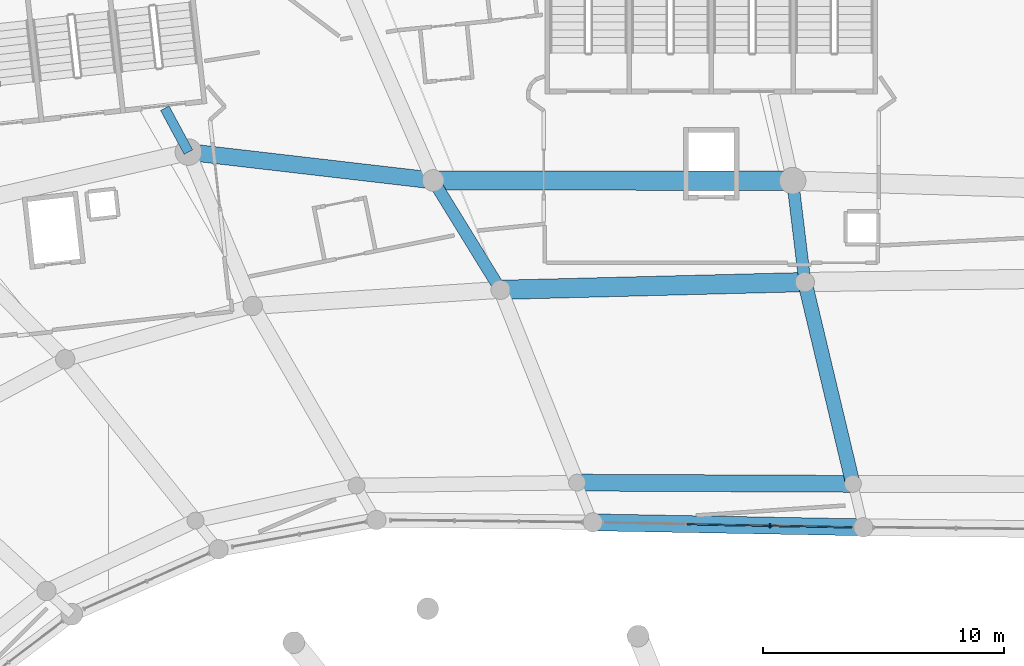
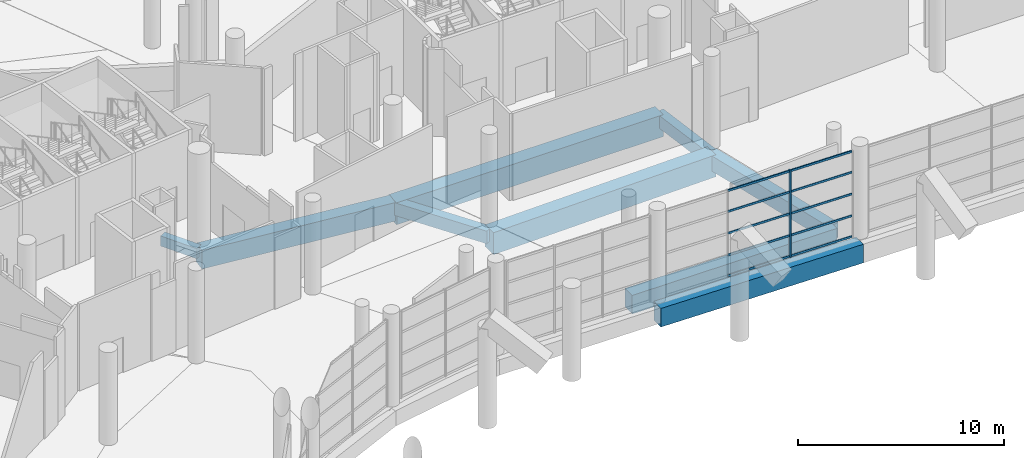
# One storey, part 83 of 271: 11 members, 9 beams, 1 element without a shape of its own.
"""IFC4 building model written with IfcOpenShell, lengths in metres."""

import ifcopenshell
import ifcopenshell.guid

model = None  # the IFC model being written
_history = None  # IfcOwnerHistory: only IFC2X3 demands one
_inside = {}  # id of a spatial element -> (the spatial element, [elements in it])
_under = {}  # id of a project, library or spatial element -> (it, [spatial elements below it])
_declared = {}  # id of a project -> (the project, [libraries it declares])
_typed = {}  # id of a type object -> (the type object, [elements of that type])
_made_of = {}  # id of a material, layer set ... -> (it, [elements and type objects made of it])


def new_model(schema):
    """Start an empty IFC model of exactly this schema.

    Asked for "IFC4X3", IfcOpenShell would pick the latest addendum, in which some entities
    have other attributes; the version numbers below select the first issue.
    IFC2X3 requires an IfcOwnerHistory on every rooted entity: one is made here for all.
    """
    global model, _history
    if schema == "IFC4X3":
        model = ifcopenshell.file(schema_version=(4, 3, 0, 0))
    else:
        model = ifcopenshell.file(schema=schema)
    _inside.clear()
    _under.clear()
    _declared.clear()
    _typed.clear()
    _made_of.clear()
    _history = None
    if model.schema == "IFC2X3":
        org = make("IfcOrganization", Name="unknown")
        user = make(
            "IfcPersonAndOrganization",
            ThePerson=make("IfcPerson", FamilyName="unknown"),
            TheOrganization=org,
        )
        app = make(
            "IfcApplication",
            ApplicationDeveloper=org,
            Version="unknown",
            ApplicationFullName="unknown",
            ApplicationIdentifier="unknown",
        )
        _history = make(
            "IfcOwnerHistory",
            OwningUser=user,
            OwningApplication=app,
            ChangeAction="ADDED",
            CreationDate=0,
        )
    return model


def make(cls, **values):
    """One entity of the class cls with the attributes given. An attribute that is None is left unset."""
    return model.create_entity(
        cls, **{name: value for name, value in values.items() if value is not None}
    )


def rooted(cls, **values):
    """An entity with a GlobalId (a new one), such as an element, a storey or a relation."""
    return make(cls, GlobalId=ifcopenshell.guid.new(), OwnerHistory=_history, **values)


def si_unit(unit_type, name, prefix=None):
    """IfcSIUnit, for example si_unit("LENGTHUNIT", "METRE", prefix="MILLI")."""
    return make("IfcSIUnit", UnitType=unit_type, Prefix=prefix, Name=name)


def assignment(units):
    """IfcUnitAssignment: the units of a project."""
    return None if units is None else make("IfcUnitAssignment", Units=units)


def point(xyz):
    """IfcCartesianPoint."""
    return None if xyz is None else make("IfcCartesianPoint", Coordinates=xyz)


def direction(xyz):
    """IfcDirection."""
    return None if xyz is None else make("IfcDirection", DirectionRatios=xyz)


def frame(location, z_axis=None, x_axis=None):
    """IfcAxis2Placement3D, a coordinate frame: its origin and axes. An axis left out is left unset."""
    return make(
        "IfcAxis2Placement3D",
        Location=point(location),
        Axis=direction(z_axis),
        RefDirection=direction(x_axis),
    )


def frame_2d(location, x_axis=None):
    """IfcAxis2Placement2D, a coordinate frame in the plane: its origin and x axis."""
    return make(
        "IfcAxis2Placement2D", Location=point(location), RefDirection=direction(x_axis)
    )


def origin():
    """The frame at (0, 0, 0) with its axes left unset."""
    return frame((0.0, 0.0, 0.0))


def origin_2d():
    """The frame at (0, 0) in the plane with its x axis left unset."""
    return frame_2d((0.0, 0.0))


def place(relative_to, where):
    """IfcLocalPlacement: puts the frame where relative to a parent placement (None: the world)."""
    return make(
        "IfcLocalPlacement", PlacementRelTo=relative_to, RelativePlacement=where
    )


def context(
    kind, dimensions, precision=None, world=None, true_north=None, identifier=None
):
    """IfcGeometricRepresentationContext, for example the 3D "Model" context."""
    return make(
        "IfcGeometricRepresentationContext",
        ContextIdentifier=identifier,
        ContextType=kind,
        CoordinateSpaceDimension=dimensions,
        Precision=precision,
        WorldCoordinateSystem=world,
        TrueNorth=true_north,
    )


def subcontext(parent, identifier, kind, view, scale=None):
    """IfcGeometricRepresentationSubContext, for example "Body" below "Model"."""
    return make(
        "IfcGeometricRepresentationSubContext",
        ContextIdentifier=identifier,
        ContextType=kind,
        ParentContext=parent,
        TargetScale=scale,
        TargetView=view,
    )


def project(units=None, contexts=None):
    """IfcProject with its units and contexts."""
    return rooted(
        "IfcProject",
        Name="project",
        RepresentationContexts=contexts,
        UnitsInContext=assignment(units),
    )


def spatial(cls, under=None, at=None, **own):
    """A site, building, storey or space (cls), placed at a placement, below another one or the project."""
    s = rooted(cls, ObjectPlacement=at, **own)
    if under is not None:
        _under.setdefault(under.id(), (under, []))[1].append(s)
    return s


def profile(cls, at=None, kind="AREA", **sizes):
    """A parametric profile (cls). Its sizes go by their IFC names, for example OverallWidth=200.0."""
    return make(cls, ProfileType=kind, Position=at, **sizes)


def rectangle(**sizes):
    """IfcRectangleProfileDef."""
    return profile("IfcRectangleProfileDef", **sizes)


def extrude(swept, where, along, depth):
    """IfcExtrudedAreaSolid: the profile swept, set in the frame where, extruded along a direction by depth."""
    return make(
        "IfcExtrudedAreaSolid",
        SweptArea=swept,
        Position=where,
        ExtrudedDirection=direction(along),
        Depth=depth,
    )


def shape(context_of_items, identifier, shape_type, items):
    """IfcShapeRepresentation: the items that make up one representation, for example the "Body"."""
    return make(
        "IfcShapeRepresentation",
        ContextOfItems=context_of_items,
        RepresentationIdentifier=identifier,
        RepresentationType=shape_type,
        Items=items,
    )


def material(Name=None, Category=None):
    """IfcMaterial."""
    return make("IfcMaterial", Name=Name, Category=Category)


def layer(
    of_material, thickness, ventilated=None, Name=None, Category=None, Priority=None
):
    """IfcMaterialLayer: one layer of a wall or slab, of a material (None: an air gap)."""
    return make(
        "IfcMaterialLayer",
        Material=of_material,
        LayerThickness=thickness,
        IsVentilated=ventilated,
        Name=Name,
        Category=Category,
        Priority=Priority,
    )


def layer_set(layers, Name=None):
    """IfcMaterialLayerSet."""
    return make("IfcMaterialLayerSet", MaterialLayers=layers, LayerSetName=Name)


def material_profile(
    of_material, cross_section, Name=None, Category=None, Priority=None
):
    """IfcMaterialProfile: a cross section and its material."""
    return make(
        "IfcMaterialProfile",
        Name=Name,
        Material=of_material,
        Profile=cross_section,
        Priority=Priority,
        Category=Category,
    )


def profile_set(profiles, Name=None, composite=None):
    """IfcMaterialProfileSet."""
    return make(
        "IfcMaterialProfileSet",
        Name=Name,
        MaterialProfiles=profiles,
        CompositeProfile=composite,
    )


def made_of(thing, what):
    """Note that an element or type object is made of a material, layer set ...; save() writes the relation."""
    if what is not None:
        _made_of.setdefault(what.id(), (what, []))[1].append(thing)
    return thing


def type_object(cls, material=None, **own):
    """A type object (cls), such as IfcWallType, which elements share."""
    return made_of(rooted(cls, **own), material)


def element(
    cls,
    number,
    at=None,
    inside=None,
    cuts=None,
    type_object=None,
    material=None,
    context=None,
    identifier="Body",
    shape_type=None,
    held_by="IfcProductDefinitionShape",
    body=None,
    shapes=None,
    **own,
):
    """One element of the class cls, such as IfcWall. Its Tag is "e" and its number.

    at: its placement. inside: the storey or other place that contains it. cuts: it is an
    opening in that element (IfcRelVoidsElement). A single representation is given by context,
    identifier, shape_type and body (its items); several are given by shapes. held_by: the class
    of the entity that holds the representations. save() writes the other relations.
    """
    e = rooted(cls, Tag="e%d" % number, ObjectPlacement=at, **own)
    if body is not None:
        shapes = [shape(context, identifier, shape_type, body)]
    if shapes is not None:
        e.Representation = make(held_by, Representations=shapes)
    if inside is not None:
        _inside.setdefault(inside.id(), (inside, []))[1].append(e)
    if cuts is not None:
        rooted(
            "IfcRelVoidsElement", RelatingBuildingElement=cuts, RelatedOpeningElement=e
        )
    if type_object is not None:
        _typed.setdefault(type_object.id(), (type_object, []))[1].append(e)
    return made_of(e, material)


def aggregate(whole, parts):
    """IfcRelAggregates: a whole, such as a stair, and the parts it consists of."""
    return rooted("IfcRelAggregates", RelatingObject=whole, RelatedObjects=parts)


def save(model, path):
    """Write the relations noted so far, then the file.

    IfcRelAggregates (storeys below a building ...), IfcRelContainedInSpatialStructure (elements
    in a storey), IfcRelDefinesByType, IfcRelAssociatesMaterial and IfcRelDeclares: one each for
    every whole, place, type object, material and project.
    """
    for whole, parts in _under.values():
        aggregate(whole, parts)
    for where, things in _inside.values():
        rooted(
            "IfcRelContainedInSpatialStructure",
            RelatedElements=things,
            RelatingStructure=where,
        )
    for kind, things in _typed.values():
        rooted("IfcRelDefinesByType", RelatedObjects=things, RelatingType=kind)
    for what, things in _made_of.values():
        rooted("IfcRelAssociatesMaterial", RelatedObjects=things, RelatingMaterial=what)
    for by, libraries in _declared.values():
        rooted("IfcRelDeclares", RelatingContext=by, RelatedDefinitions=libraries)
    model.write(path)


model = new_model("IFC4")

# Units and contexts
model_context = context("Model", 3, precision=1e-05, world=origin(), true_north=direction((0.0, 1.0)))
body_context = subcontext(model_context, "Body", "Model", "MODEL_VIEW")
ifc_project = project(units=[si_unit("LENGTHUNIT", "METRE"), si_unit("AREAUNIT", "SQUARE_METRE"), si_unit("VOLUMEUNIT", "CUBIC_METRE"), si_unit("PLANEANGLEUNIT", "RADIAN"), si_unit("MASSUNIT", "GRAM", prefix="KILO")], contexts=[model_context])

# Site, building, storey
site_placement = place(None, origin())
site = spatial("IfcSite", under=ifc_project, at=site_placement, CompositionType="ELEMENT")
building_placement = place(site_placement, origin())
building = spatial("IfcBuilding", under=site, at=building_placement, Name="Meseta Stadium", CompositionType="ELEMENT")
storey_placement = place(building_placement, frame((0.0, 0.0, 6.5)))
storey = spatial("IfcBuildingStorey", under=building, at=storey_placement, Name="L01", CompositionType="ELEMENT", Elevation=6.5)

# Curtain wall, members
ifc_material_1 = material(Name="Aluminium", Category="aluminium")
ifc_layer = layer(ifc_material_1, 0.199951171875)
ifc_layer_set = layer_set([ifc_layer], Name="Club glazing curtain wall")
curtain_wall_type = type_object("IfcCurtainWallType", Name="Club glazing curtain wall", PredefinedType="NOTDEFINED", material=ifc_layer_set)
curtain_wall_placement = place(storey_placement, origin())
curtain_wall = element("IfcCurtainWall", 1, at=curtain_wall_placement, inside=storey, type_object=curtain_wall_type, Name="Club glazing bay 20", PredefinedType="NOTDEFINED")
ifc_material_2 = material(Name="Aluminium", Category="aluminium")
ifc_material_profile_1 = material_profile(ifc_material_2, rectangle(XDim=0.159912109375, YDim=0.06005859375, at=origin_2d()), Name="CW 160x60")
ifc_profile_set_1 = profile_set([ifc_material_profile_1], Name="Aluminium")
member_type_1 = type_object("IfcMemberType", Name="CW mullion 60x160", PredefinedType="MULLION", material=ifc_profile_set_1)
member_1_placement = place(storey_placement, frame((-20.568603515625, 75.6005859375, 0.0), z_axis=(0.0, 0.0, 1.0), x_axis=(-0.018383858671, -0.99983100259, 0.0)))
member_1 = element("IfcMember", 2, at=member_1_placement, type_object=member_type_1, Name="CWC mullion 2", PredefinedType="MULLION", context=body_context, shape_type="SweptSolid", body=[
    extrude(rectangle(XDim=0.159912109375, YDim=0.06005859375, at=origin_2d()), origin(), (0.0, 0.0, 1.0), 5.14990234375),
])
ifc_material_3 = material(Name="Aluminium", Category="aluminium")
ifc_material_profile_2 = material_profile(ifc_material_3, rectangle(XDim=0.06005859375, YDim=0.1201171875, at=origin_2d()), Name="CW 60x120")
ifc_profile_set_2 = profile_set([ifc_material_profile_2], Name="Aluminium")
member_type_2 = type_object("IfcMemberType", Name="CW transom 60x120", PredefinedType="USERDEFINED", material=ifc_profile_set_2)
member_2_placement = place(storey_placement, frame((-17.1572265625, 75.537841796875, 0.06005859375), z_axis=(-0.99983055045, 0.018408432517, 0.0), x_axis=(-0.018408432517, -0.99983055045, 0.0)))
member_2 = element("IfcMember", 3, at=member_2_placement, type_object=member_type_2, Name="CWC transom 1.1", ObjectType="TRANSOM", PredefinedType="USERDEFINED", context=body_context, shape_type="SweptSolid", body=[
    extrude(rectangle(XDim=0.06005859375, YDim=0.1201171875, at=origin_2d()), origin(), (0.0, 0.0, 1.0), 3.3818359375),
])
member_3_placement = place(storey_placement, frame((-17.1572265625, 75.537841796875, 1.28759765625), z_axis=(-0.99983055045, 0.018408432517, 0.0), x_axis=(-0.018408432517, -0.99983055045, 0.0)))
member_3 = element("IfcMember", 4, at=member_3_placement, type_object=member_type_2, Name="CWC transom 1.2", ObjectType="TRANSOM", PredefinedType="USERDEFINED", context=body_context, shape_type="SweptSolid", body=[
    extrude(rectangle(XDim=0.06005859375, YDim=0.1201171875, at=origin_2d()), origin(), (0.0, 0.0, 1.0), 3.3818359375),
])
member_4_placement = place(storey_placement, frame((-17.1572265625, 75.537841796875, 2.574951171875), z_axis=(-0.99983055045, 0.018408432517, 0.0), x_axis=(-0.018408432517, -0.99983055045, 0.0)))
member_4 = element("IfcMember", 5, at=member_4_placement, type_object=member_type_2, Name="CWC transom 1.3", ObjectType="TRANSOM", PredefinedType="USERDEFINED", context=body_context, shape_type="SweptSolid", body=[
    extrude(rectangle(XDim=0.06005859375, YDim=0.1201171875, at=origin_2d()), origin(), (0.0, 0.0, 1.0), 3.3818359375),
])
member_5_placement = place(storey_placement, frame((-17.1572265625, 75.537841796875, 3.862548828125), z_axis=(-0.99983055045, 0.018408432517, 0.0), x_axis=(-0.018408432517, -0.99983055045, 0.0)))
member_5 = element("IfcMember", 6, at=member_5_placement, type_object=member_type_2, Name="CWC transom 1.4", ObjectType="TRANSOM", PredefinedType="USERDEFINED", context=body_context, shape_type="SweptSolid", body=[
    extrude(rectangle(XDim=0.06005859375, YDim=0.1201171875, at=origin_2d()), origin(), (0.0, 0.0, 1.0), 3.3818359375),
])
member_6_placement = place(storey_placement, frame((-17.1572265625, 75.537841796875, 5.090087890625), z_axis=(-0.99983055045, 0.018408432517, 0.0), x_axis=(-0.018408432517, -0.99983055045, 0.0)))
member_6 = element("IfcMember", 7, at=member_6_placement, type_object=member_type_2, Name="CWC transom 1.5", ObjectType="TRANSOM", PredefinedType="USERDEFINED", context=body_context, shape_type="SweptSolid", body=[
    extrude(rectangle(XDim=0.06005859375, YDim=0.1201171875, at=origin_2d()), origin(), (0.0, 0.0, 1.0), 3.3818359375),
])
member_7_placement = place(storey_placement, frame((-20.5986328125, 75.60107421875, 0.06005859375), z_axis=(-0.999830898772, 0.018389504114, 0.0), x_axis=(-0.018389504114, -0.999830898772, 0.0)))
member_7 = element("IfcMember", 8, at=member_7_placement, type_object=member_type_2, Name="CWC transom 2.1", ObjectType="TRANSOM", PredefinedType="USERDEFINED", context=body_context, shape_type="SweptSolid", body=[
    extrude(rectangle(XDim=0.06005859375, YDim=0.1201171875, at=origin_2d()), origin(), (0.0, 0.0, 1.0), 3.411865234375),
])
member_8_placement = place(storey_placement, frame((-20.5986328125, 75.60107421875, 1.28759765625), z_axis=(-0.999830898772, 0.018389504114, 0.0), x_axis=(-0.018389504114, -0.999830898772, 0.0)))
member_8 = element("IfcMember", 9, at=member_8_placement, type_object=member_type_2, Name="CWC transom 2.2", ObjectType="TRANSOM", PredefinedType="USERDEFINED", context=body_context, shape_type="SweptSolid", body=[
    extrude(rectangle(XDim=0.06005859375, YDim=0.1201171875, at=origin_2d()), origin(), (0.0, 0.0, 1.0), 3.411865234375),
])
member_9_placement = place(storey_placement, frame((-20.5986328125, 75.60107421875, 2.574951171875), z_axis=(-0.999830898772, 0.018389504114, 0.0), x_axis=(-0.018389504114, -0.999830898772, 0.0)))
member_9 = element("IfcMember", 10, at=member_9_placement, type_object=member_type_2, Name="CWC transom 2.3", ObjectType="TRANSOM", PredefinedType="USERDEFINED", context=body_context, shape_type="SweptSolid", body=[
    extrude(rectangle(XDim=0.06005859375, YDim=0.1201171875, at=origin_2d()), origin(), (0.0, 0.0, 1.0), 3.411865234375),
])
member_10_placement = place(storey_placement, frame((-20.5986328125, 75.60107421875, 3.862548828125), z_axis=(-0.999830898772, 0.018389504114, 0.0), x_axis=(-0.018389504114, -0.999830898772, 0.0)))
member_10 = element("IfcMember", 11, at=member_10_placement, type_object=member_type_2, Name="CWC transom 2.4", ObjectType="TRANSOM", PredefinedType="USERDEFINED", context=body_context, shape_type="SweptSolid", body=[
    extrude(rectangle(XDim=0.06005859375, YDim=0.1201171875, at=origin_2d()), origin(), (0.0, 0.0, 1.0), 3.411865234375),
])
member_11_placement = place(storey_placement, frame((-20.5986328125, 75.60107421875, 5.090087890625), z_axis=(-0.999830898772, 0.018389504114, 0.0), x_axis=(-0.018389504114, -0.999830898772, 0.0)))
member_11 = element("IfcMember", 12, at=member_11_placement, type_object=member_type_2, Name="CWC transom 2.5", ObjectType="TRANSOM", PredefinedType="USERDEFINED", context=body_context, shape_type="SweptSolid", body=[
    extrude(rectangle(XDim=0.06005859375, YDim=0.1201171875, at=origin_2d()), origin(), (0.0, 0.0, 1.0), 3.411865234375),
])
aggregate(curtain_wall, [member_1, member_2, member_3, member_4, member_5, member_6, member_7, member_8, member_9, member_10, member_11])

# Beams
ifc_material_4 = material(Name="Concrete C40/50", Category="concrete")
ifc_material_profile_3 = material_profile(ifc_material_4, rectangle(XDim=0.39990234375, YDim=0.60009765625, at=origin_2d()), Name="RC 400x600")
ifc_profile_set_3 = profile_set([ifc_material_profile_3], Name="Concrete C40/50")
beam_type_1 = type_object("IfcBeamType", Name="RC beam 400x600", PredefinedType="BEAM", material=ifc_profile_set_3)
beam_1_placement = place(storey_placement, frame((-44.6826171875, 91.0908203125, -0.64990234375), z_axis=(-0.474170370951, 0.880433108937, 0.0), x_axis=(-0.880433108937, -0.474170370951, 0.0)))
element("IfcBeam", 13, at=beam_1_placement, inside=storey, type_object=beam_type_1, Name="L01 radial beam frame 22 line P to R", PredefinedType="BEAM", context=body_context, shape_type="SweptSolid", body=[
    extrude(rectangle(XDim=0.39990234375, YDim=0.60009765625, at=origin_2d()), origin(), (0.0, 0.0, 1.0), 2.063720703125),
])
ifc_material_5 = material(Name="Concrete C40/50", Category="concrete")
ifc_material_profile_4 = material_profile(ifc_material_5, rectangle(XDim=0.5, YDim=0.75, at=origin_2d()), Name="RC 500x750")
ifc_profile_set_4 = profile_set([ifc_material_profile_4], Name="Concrete C40/50")
beam_type_2 = type_object("IfcBeamType", Name="RC beam 500x750", PredefinedType="BEAM", material=ifc_profile_set_4)
beam_2_placement = place(storey_placement, frame((-19.11865234375, 85.6982421875, -0.72509765625), z_axis=(-0.120104176055, 0.992761294015, 0.0), x_axis=(-0.992761294015, -0.120104176055, 0.0)))
element("IfcBeam", 14, at=beam_2_placement, inside=storey, type_object=beam_type_2, Name="L01 radial beam frame 20 line E to P", PredefinedType="BEAM", context=body_context, shape_type="SweptSolid", body=[
    extrude(rectangle(XDim=0.5, YDim=0.75, at=origin_2d()), origin(), (0.0, 0.0, 1.0), 4.236328125),
])
beam_3_placement = place(storey_placement, frame((-31.73681640625, 85.376708984375, -0.72509765625), z_axis=(-0.52451674702, 0.85140013043, 0.0), x_axis=(-0.85140013043, -0.52451674702, 0.0)))
element("IfcBeam", 15, at=beam_3_placement, inside=storey, type_object=beam_type_2, Name="L01 radial beam frame 21 line E to P", PredefinedType="BEAM", context=body_context, shape_type="SweptSolid", body=[
    extrude(rectangle(XDim=0.5, YDim=0.75, at=origin_2d()), origin(), (0.0, 0.0, 1.0), 5.32666015625),
])
ifc_material_6 = material(Name="Concrete C40/50", Category="concrete")
ifc_material_profile_5 = material_profile(ifc_material_6, rectangle(XDim=0.60009765625, YDim=0.89990234375, at=origin_2d()), Name="RC 600x900")
ifc_profile_set_5 = profile_set([ifc_material_profile_5], Name="Concrete C40/50")
beam_type_3 = type_object("IfcBeamType", Name="RC beam 600x900", PredefinedType="BEAM", material=ifc_profile_set_5)
beam_4_placement = place(storey_placement, frame((-17.126708984375, 77.33203125, -0.800048828125), z_axis=(-0.23161924801, 0.972806519279, 0.0), x_axis=(-0.972806519279, -0.23161924801, 0.0)))
element("IfcBeam", 16, at=beam_4_placement, inside=storey, type_object=beam_type_3, Name="L01 radial beam frame 20 line D to E", PredefinedType="BEAM", context=body_context, shape_type="SweptSolid", body=[
    extrude(rectangle(XDim=0.60009765625, YDim=0.89990234375, at=origin_2d()), origin(), (0.0, 0.0, 1.0), 8.60009765625),
])
ifc_material_7 = material(Name="Concrete C40/50", Category="concrete")
ifc_material_profile_6 = material_profile(ifc_material_7, rectangle(XDim=0.699951171875, YDim=1.10009765625, at=origin_2d()), Name="RC 700x1100")
ifc_profile_set_6 = profile_set([ifc_material_profile_6], Name="Concrete C40/50")
beam_type_4 = type_object("IfcBeamType", Name="RC beam 700x1100", PredefinedType="BEAM", material=ifc_profile_set_6)
beam_5_placement = place(storey_placement, frame((-16.697509765625, 75.529296875, -0.89990234375), z_axis=(-0.999830807814, 0.018394448783, 0.0), x_axis=(-0.018394448783, -0.999830807814, 0.0)))
element("IfcBeam", 17, at=beam_5_placement, inside=storey, type_object=beam_type_4, Name="L01 ring beam frame 20 line C", PredefinedType="BEAM", context=body_context, shape_type="SweptSolid", body=[
    extrude(rectangle(XDim=0.699951171875, YDim=1.10009765625, at=origin_2d()), origin(), (0.0, 0.0, 1.0), 11.21533203125),
])
beam_6_placement = place(storey_placement, frame((-17.126708984375, 77.33203125, -0.89990234375), z_axis=(-0.999989954239, 0.004482345579, 0.0), x_axis=(-0.004482345579, -0.999989954239, 0.0)))
element("IfcBeam", 18, at=beam_6_placement, inside=storey, type_object=beam_type_4, Name="L01 ring beam frame 20 line D", PredefinedType="BEAM", context=body_context, shape_type="SweptSolid", body=[
    extrude(rectangle(XDim=0.699951171875, YDim=1.10009765625, at=origin_2d()), origin(), (0.0, 0.0, 1.0), 11.43798828125),
])
beam_7_placement = place(storey_placement, frame((-34.53076171875, 89.911865234375, -0.89990234375), z_axis=(-0.993324132456, 0.115356698466, 0.0), x_axis=(-0.115356698466, -0.993324132456, 0.0)))
element("IfcBeam", 19, at=beam_7_placement, inside=storey, type_object=beam_type_4, Name="L01 ring beam frame 21 line P", PredefinedType="BEAM", context=body_context, shape_type="SweptSolid", body=[
    extrude(rectangle(XDim=0.699951171875, YDim=1.10009765625, at=origin_2d()), origin(), (0.0, 0.0, 1.0), 10.219970703125),
])
ifc_material_8 = material(Name="Concrete C40/50", Category="concrete")
ifc_material_profile_7 = material_profile(ifc_material_8, rectangle(XDim=0.800048828125, YDim=1.300048828125, at=origin_2d()), Name="RC 800x1300")
ifc_profile_set_7 = profile_set([ifc_material_profile_7], Name="Concrete C40/50")
beam_type_5 = type_object("IfcBeamType", Name="RC beam 800x1300", PredefinedType="BEAM", material=ifc_profile_set_7)
beam_8_placement = place(storey_placement, frame((-19.11865234375, 85.6982421875, -1.0), z_axis=(-0.999675497622, -0.02547350496, 0.0), x_axis=(0.02547350496, -0.999675497622, 0.0)))
element("IfcBeam", 20, at=beam_8_placement, inside=storey, type_object=beam_type_5, Name="L01 ring beam frame 20 line E", PredefinedType="BEAM", context=body_context, shape_type="SweptSolid", body=[
    extrude(rectangle(XDim=0.800048828125, YDim=1.300048828125, at=origin_2d()), origin(), (0.0, 0.0, 1.0), 12.622314453125),
])
beam_9_placement = place(storey_placement, frame((-19.62744140625, 89.90380859375, -1.0), z_axis=(-0.999999853879, 0.000540593591, 0.0), x_axis=(-0.000540593591, -0.999999853879, 0.0)))
element("IfcBeam", 21, at=beam_9_placement, inside=storey, type_object=beam_type_5, Name="L01 ring beam frame 20 line P", PredefinedType="BEAM", context=body_context, shape_type="SweptSolid", body=[
    extrude(rectangle(XDim=0.800048828125, YDim=1.300048828125, at=origin_2d()), origin(), (0.0, 0.0, 1.0), 14.9033203125),
])

save(model, "model.ifc")
